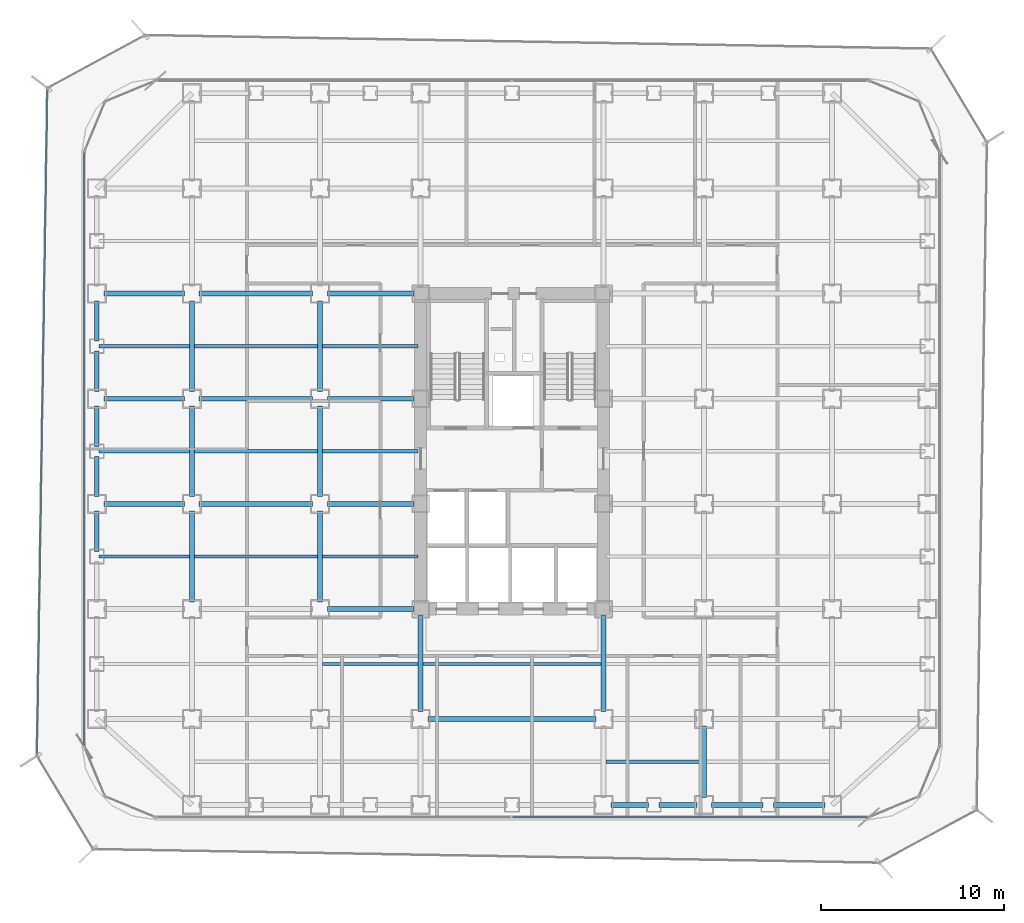
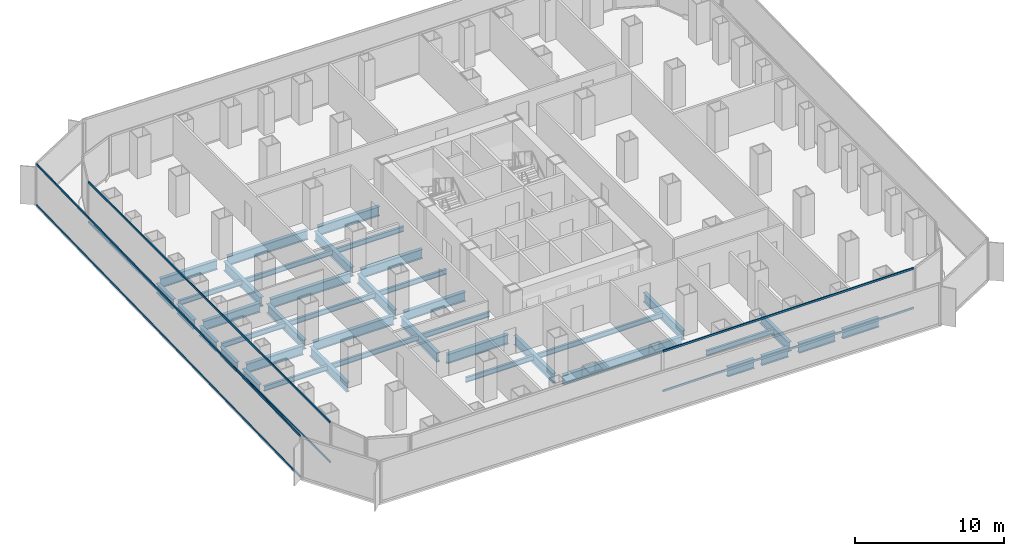
# One storey, part 5 of 22: 41 beams, 6 members, 3 elements without a shape of their own.
"""IFC4 building model written with IfcOpenShell, lengths in metres."""

from ifc_helpers import new_model, si_unit, direction, frame, origin, origin_2d, place, context, subcontext, project, spatial, hollow_rectangle, i_section, extrude, source, transform, mapped, material, layer, layer_set, material_profile, profile_set, type_object, element, aggregate, save


model = new_model("IFC4")

# Units and contexts
model_context = context("Model", 3, precision=1e-05, world=origin(), true_north=direction((0.0, 1.0)))
body_context = subcontext(model_context, "Body", "Model", "MODEL_VIEW")
ifc_project = project(units=[si_unit("LENGTHUNIT", "METRE"), si_unit("AREAUNIT", "SQUARE_METRE"), si_unit("VOLUMEUNIT", "CUBIC_METRE"), si_unit("PLANEANGLEUNIT", "RADIAN"), si_unit("MASSUNIT", "GRAM", prefix="KILO")], contexts=[model_context])

# Site, building, storey
site_placement = place(None, origin())
site = spatial("IfcSite", under=ifc_project, at=site_placement, CompositionType="ELEMENT")
building_placement = place(site_placement, origin())
building = spatial("IfcBuilding", under=site, at=building_placement, Name="Kolveth Station Tower", CompositionType="ELEMENT")
storey_placement = place(building_placement, frame((0.0, 0.0, 54.89990234375)))
storey = spatial("IfcBuildingStorey", under=building, at=storey_placement, Name="L14", CompositionType="ELEMENT", Elevation=54.89990234375)

# Beams
ifc_material_1 = material(Name="Steel S355", Category="steel")
ifc_material_profile_1 = material_profile(ifc_material_1, i_section(OverallWidth=0.26904296875, OverallDepth=0.77490234375, WebThickness=0.01708984375, FlangeThickness=0.0283203125, at=origin_2d()), Name="W760x220")
ifc_profile_set_1 = profile_set([ifc_material_profile_1], Name="Steel S355")
beam_type_1 = type_object("IfcBeamType", Name="Beam_SP1", PredefinedType="SPANDREL", material=ifc_profile_set_1)
shared_shape_1 = source(origin(), body_context, "Body", "SweptSolid", [
    extrude(i_section(OverallWidth=0.26904296875, OverallDepth=0.77490234375, WebThickness=0.01708984375, FlangeThickness=0.0283203125, at=origin_2d()), origin(), (0.0, 0.0, 1.0), 2.820068359375),
])
for number, where, z_axis, x_axis, name in (
    (1, (34.39990234375, 0.800048828125, -0.66748046875), (1.0, 0.0, 0.0), (0.0, 1.0, 0.0), "L14 Perimeter Spandrel BM-L14-PS-9"),
    (2, (37.780029296875, 0.800048828125, -0.66748046875), (1.0, 0.0, 0.0), (0.0, 1.0, 0.0), "L14 Perimeter Spandrel BM-L14-PS-10"),
):
    element("IfcBeam", number, at=place(storey_placement, frame(where, z_axis=z_axis, x_axis=x_axis)), inside=storey, type_object=beam_type_1, Name=name, PredefinedType="SPANDREL", context=body_context, shape_type="MappedRepresentation", body=[
        mapped(shared_shape_1, transform((0.0, 0.0, 0.0), x_axis=(1.0, 0.0, 0.0), y_axis=(0.0, 1.0, 0.0), z_axis=(0.0, 0.0, 1.0), scale=1.0)),
    ])
shared_shape_2 = source(origin(), body_context, "Body", "SweptSolid", [
    extrude(i_section(OverallWidth=0.26904296875, OverallDepth=0.77490234375, WebThickness=0.01708984375, FlangeThickness=0.0283203125, at=origin_2d()), origin(), (0.0, 0.0, 1.0), 2.070068359375),
])
for number, where, z_axis, x_axis, name in (
    (3, (28.89990234375, 0.800048828125, -0.66748046875), (1.0, 0.0, 0.0), (0.0, 1.0, 0.0), "L14 Perimeter Spandrel BM-L14-PS-7"),
    (4, (31.530029296875, 0.800048828125, -0.66748046875), (1.0, 0.0, 0.0), (0.0, 1.0, 0.0), "L14 Perimeter Spandrel BM-L14-PS-8"),
):
    element("IfcBeam", number, at=place(storey_placement, frame(where, z_axis=z_axis, x_axis=x_axis)), inside=storey, type_object=beam_type_1, Name=name, PredefinedType="SPANDREL", context=body_context, shape_type="MappedRepresentation", body=[
        mapped(shared_shape_2, transform((0.0, 0.0, 0.0), x_axis=(1.0, 0.0, 0.0), y_axis=(0.0, 1.0, 0.0), z_axis=(0.0, 0.0, 1.0), scale=1.0)),
    ])
shared_shape_3 = source(origin(), body_context, "Body", "SweptSolid", [
    extrude(i_section(OverallWidth=0.26904296875, OverallDepth=0.77490234375, WebThickness=0.01708984375, FlangeThickness=0.0283203125, at=origin_2d()), origin(), (0.0, 0.0, 1.0), 2.2001953125),
])
for number, where, z_axis, x_axis, name in (
    (5, (0.800048828125, 20.39990234375, -0.66748046875), (0.0, 1.0, 0.0), (-1.0, 0.0, 0.0), "L14 Perimeter Spandrel BM-L14-PW-6"),
    (6, (0.800048828125, 23.39990234375, -0.66748046875), (0.0, 1.0, 0.0), (-1.0, 0.0, 0.0), "L14 Perimeter Spandrel BM-L14-PW-7"),
):
    element("IfcBeam", number, at=place(storey_placement, frame(where, z_axis=z_axis, x_axis=x_axis)), inside=storey, type_object=beam_type_1, Name=name, PredefinedType="SPANDREL", context=body_context, shape_type="MappedRepresentation", body=[
        mapped(shared_shape_3, transform((0.0, 0.0, 0.0), x_axis=(1.0, 0.0, 0.0), y_axis=(0.0, 1.0, 0.0), z_axis=(0.0, 0.0, 1.0), scale=1.0)),
    ])
shared_shape_4 = source(origin(), body_context, "Body", "SweptSolid", [
    extrude(i_section(OverallWidth=0.26904296875, OverallDepth=0.77490234375, WebThickness=0.01708984375, FlangeThickness=0.0283203125, at=origin_2d()), origin(), (0.0, 0.0, 1.0), 2.190185546875),
])
for number, where, z_axis, x_axis, name in (
    (7, (0.800048828125, 14.659912109375, -0.66748046875), (0.0, 1.0, 0.0), (-1.0, 0.0, 0.0), "L14 Perimeter Spandrel BM-L14-PW-4"),
    (8, (0.800048828125, 17.64990234375, -0.66748046875), (0.0, 1.0, 0.0), (-1.0, 0.0, 0.0), "L14 Perimeter Spandrel BM-L14-PW-5"),
    (9, (0.800048828125, 26.159912109375, -0.66748046875), (0.0, 1.0, 0.0), (-1.0, 0.0, 0.0), "L14 Perimeter Spandrel BM-L14-PW-8"),
):
    element("IfcBeam", number, at=place(storey_placement, frame(where, z_axis=z_axis, x_axis=x_axis)), inside=storey, type_object=beam_type_1, Name=name, PredefinedType="SPANDREL", context=body_context, shape_type="MappedRepresentation", body=[
        mapped(shared_shape_4, transform((0.0, 0.0, 0.0), x_axis=(1.0, 0.0, 0.0), y_axis=(0.0, 1.0, 0.0), z_axis=(0.0, 0.0, 1.0), scale=1.0)),
    ])
ifc_material_profile_2 = material_profile(ifc_material_1, i_section(OverallWidth=0.26708984375, OverallDepth=0.76611328125, WebThickness=0.014892578125, FlangeThickness=0.023681640625, at=origin_2d()), Name="W760x185")
ifc_profile_set_2 = profile_set([ifc_material_profile_2], Name="Steel S355")
beam_type_2 = type_object("IfcBeamType", Name="Beam_B3", PredefinedType="BEAM", material=ifc_profile_set_2)
shared_shape_5 = source(origin(), body_context, "Body", "SweptSolid", [
    extrude(i_section(OverallWidth=0.26708984375, OverallDepth=0.76611328125, WebThickness=0.014892578125, FlangeThickness=0.023681640625, at=origin_2d()), origin(), (0.0, 0.0, 1.0), 4.400146484375),
])
for number, where, z_axis, x_axis, name in (
    (10, (1.199951171875, 17.25, -0.662841796875), (1.0, 0.0, 0.0), (0.0, 1.0, 0.0), "L14 Primary Girder BM-L14-GY172-1"),
    (11, (1.199951171875, 23.0, -0.662841796875), (1.0, 0.0, 0.0), (0.0, 1.0, 0.0), "L14 Primary Girder BM-L14-GY230-1"),
    (12, (1.199951171875, 28.75, -0.662841796875), (1.0, 0.0, 0.0), (0.0, 1.0, 0.0), "L14 Primary Girder BM-L14-GY287-1"),
):
    element("IfcBeam", number, at=place(storey_placement, frame(where, z_axis=z_axis, x_axis=x_axis)), inside=storey, type_object=beam_type_2, Name=name, PredefinedType="BEAM", context=body_context, shape_type="MappedRepresentation", body=[
        mapped(shared_shape_5, transform((0.0, 0.0, 0.0), x_axis=(1.0, 0.0, 0.0), y_axis=(0.0, 1.0, 0.0), z_axis=(0.0, 0.0, 1.0), scale=1.0)),
    ])
shared_shape_6 = source(origin(), body_context, "Body", "SweptSolid", [
    extrude(i_section(OverallWidth=0.26708984375, OverallDepth=0.76611328125, WebThickness=0.014892578125, FlangeThickness=0.023681640625, at=origin_2d()), origin(), (0.0, 0.0, 1.0), 6.2001953125),
])
for number, where, z_axis, x_axis, name in (
    (13, (6.39990234375, 17.25, -0.662841796875), (1.0, 0.0, 0.0), (0.0, 1.0, 0.0), "L14 Primary Girder BM-L14-GY172-2"),
    (14, (6.39990234375, 23.0, -0.662841796875), (1.0, 0.0, 0.0), (0.0, 1.0, 0.0), "L14 Primary Girder BM-L14-GY230-2"),
    (15, (6.39990234375, 28.75, -0.662841796875), (1.0, 0.0, 0.0), (0.0, 1.0, 0.0), "L14 Primary Girder BM-L14-GY287-2"),
):
    element("IfcBeam", number, at=place(storey_placement, frame(where, z_axis=z_axis, x_axis=x_axis)), inside=storey, type_object=beam_type_2, Name=name, PredefinedType="BEAM", context=body_context, shape_type="MappedRepresentation", body=[
        mapped(shared_shape_6, transform((0.0, 0.0, 0.0), x_axis=(1.0, 0.0, 0.0), y_axis=(0.0, 1.0, 0.0), z_axis=(0.0, 0.0, 1.0), scale=1.0)),
    ])
shared_shape_7 = source(origin(), body_context, "Body", "SweptSolid", [
    extrude(i_section(OverallWidth=0.26708984375, OverallDepth=0.76611328125, WebThickness=0.014892578125, FlangeThickness=0.023681640625, at=origin_2d()), origin(), (0.0, 0.0, 1.0), 9.2001953125),
])
beam_1_placement = place(storey_placement, frame((18.89990234375, 5.5, -0.662841796875), z_axis=(1.0, 0.0, 0.0), x_axis=(0.0, 1.0, 0.0)))
element("IfcBeam", 16, at=beam_1_placement, inside=storey, type_object=beam_type_2, Name="L14 Primary Girder BM-L14-GY55-4", PredefinedType="BEAM", context=body_context, shape_type="MappedRepresentation", body=[
    mapped(shared_shape_7, transform((0.0, 0.0, 0.0), x_axis=(1.0, 0.0, 0.0), y_axis=(0.0, 1.0, 0.0), z_axis=(0.0, 0.0, 1.0), scale=1.0)),
])
shared_shape_8 = source(origin(), body_context, "Body", "SweptSolid", [
    extrude(i_section(OverallWidth=0.26708984375, OverallDepth=0.76611328125, WebThickness=0.014892578125, FlangeThickness=0.023681640625, at=origin_2d()), origin(), (0.0, 0.0, 1.0), 4.739990234375),
])
for number, where, z_axis, x_axis, name in (
    (17, (13.39990234375, 11.5, -0.662841796875), (1.0, 0.0, 0.0), (0.0, 1.0, 0.0), "L14 Primary Girder BM-L14-GY115-3"),
    (18, (13.39990234375, 17.25, -0.662841796875), (1.0, 0.0, 0.0), (0.0, 1.0, 0.0), "L14 Primary Girder BM-L14-GY172-3"),
    (19, (13.39990234375, 23.0, -0.662841796875), (1.0, 0.0, 0.0), (0.0, 1.0, 0.0), "L14 Primary Girder BM-L14-GY230-3"),
    (20, (13.39990234375, 28.75, -0.662841796875), (1.0, 0.0, 0.0), (0.0, 1.0, 0.0), "L14 Primary Girder BM-L14-GY287-3"),
):
    element("IfcBeam", number, at=place(storey_placement, frame(where, z_axis=z_axis, x_axis=x_axis)), inside=storey, type_object=beam_type_2, Name=name, PredefinedType="BEAM", context=body_context, shape_type="MappedRepresentation", body=[
        mapped(shared_shape_8, transform((0.0, 0.0, 0.0), x_axis=(1.0, 0.0, 0.0), y_axis=(0.0, 1.0, 0.0), z_axis=(0.0, 0.0, 1.0), scale=1.0)),
    ])
shared_shape_9 = source(origin(), body_context, "Body", "SweptSolid", [
    extrude(i_section(OverallWidth=0.26708984375, OverallDepth=0.76611328125, WebThickness=0.014892578125, FlangeThickness=0.023681640625, at=origin_2d()), origin(), (0.0, 0.0, 1.0), 3.900146484375),
])
beam_2_placement = place(storey_placement, frame((34.0, 1.199951171875, -0.662841796875), z_axis=(0.0, 1.0, 0.0), x_axis=(-1.0, 0.0, 0.0)))
element("IfcBeam", 21, at=beam_2_placement, inside=storey, type_object=beam_type_2, Name="L14 Primary Girder BM-L14-GX340-1", PredefinedType="BEAM", context=body_context, shape_type="MappedRepresentation", body=[
    mapped(shared_shape_9, transform((0.0, 0.0, 0.0), x_axis=(1.0, 0.0, 0.0), y_axis=(0.0, 1.0, 0.0), z_axis=(0.0, 0.0, 1.0), scale=1.0)),
])
shared_shape_10 = source(origin(), body_context, "Body", "SweptSolid", [
    extrude(i_section(OverallWidth=0.26708984375, OverallDepth=0.76611328125, WebThickness=0.014892578125, FlangeThickness=0.023681640625, at=origin_2d()), origin(), (0.0, 0.0, 1.0), 4.9501953125),
])
for number, where, z_axis, x_axis, name in (
    (22, (6.0, 11.89990234375, -0.662841796875), (0.0, 1.0, 0.0), (-1.0, 0.0, 0.0), "L14 Primary Girder BM-L14-GX60-3"),
    (23, (6.0, 17.64990234375, -0.662841796875), (0.0, 1.0, 0.0), (-1.0, 0.0, 0.0), "L14 Primary Girder BM-L14-GX60-4"),
    (24, (6.0, 23.39990234375, -0.662841796875), (0.0, 1.0, 0.0), (-1.0, 0.0, 0.0), "L14 Primary Girder BM-L14-GX60-5"),
    (25, (13.0, 11.89990234375, -0.662841796875), (0.0, 1.0, 0.0), (-1.0, 0.0, 0.0), "L14 Primary Girder BM-L14-GX130-3"),
    (26, (13.0, 17.64990234375, -0.662841796875), (0.0, 1.0, 0.0), (-1.0, 0.0, 0.0), "L14 Primary Girder BM-L14-GX130-4"),
    (27, (13.0, 23.39990234375, -0.662841796875), (0.0, 1.0, 0.0), (-1.0, 0.0, 0.0), "L14 Primary Girder BM-L14-GX130-5"),
):
    element("IfcBeam", number, at=place(storey_placement, frame(where, z_axis=z_axis, x_axis=x_axis)), inside=storey, type_object=beam_type_2, Name=name, PredefinedType="BEAM", context=body_context, shape_type="MappedRepresentation", body=[
        mapped(shared_shape_10, transform((0.0, 0.0, 0.0), x_axis=(1.0, 0.0, 0.0), y_axis=(0.0, 1.0, 0.0), z_axis=(0.0, 0.0, 1.0), scale=1.0)),
    ])
shared_shape_11 = source(origin(), body_context, "Body", "SweptSolid", [
    extrude(i_section(OverallWidth=0.26708984375, OverallDepth=0.76611328125, WebThickness=0.014892578125, FlangeThickness=0.023681640625, at=origin_2d()), origin(), (0.0, 0.0, 1.0), 5.239990234375),
])
for number, where, z_axis, x_axis, name in (
    (28, (18.5, 5.89990234375, -0.662841796875), (0.0, 1.0, 0.0), (-1.0, 0.0, 0.0), "L14 Primary Girder BM-L14-GX185-2"),
    (29, (28.5, 5.89990234375, -0.662841796875), (0.0, 1.0, 0.0), (-1.0, 0.0, 0.0), "L14 Primary Girder BM-L14-GX285-2"),
):
    element("IfcBeam", number, at=place(storey_placement, frame(where, z_axis=z_axis, x_axis=x_axis)), inside=storey, type_object=beam_type_2, Name=name, PredefinedType="BEAM", context=body_context, shape_type="MappedRepresentation", body=[
        mapped(shared_shape_11, transform((0.0, 0.0, 0.0), x_axis=(1.0, 0.0, 0.0), y_axis=(0.0, 1.0, 0.0), z_axis=(0.0, 0.0, 1.0), scale=1.0)),
    ])
ifc_material_profile_3 = material_profile(ifc_material_1, i_section(OverallWidth=0.177978515625, OverallDepth=0.406982421875, WebThickness=0.0078125, FlangeThickness=0.0126953125, at=origin_2d()), Name="W410x60")
ifc_profile_set_3 = profile_set([ifc_material_profile_3], Name="Steel S355")
beam_type_3 = type_object("IfcBeamType", Name="Beam_J1", PredefinedType="JOIST", material=ifc_profile_set_3)
shared_shape_12 = source(origin(), body_context, "Body", "SweptSolid", [
    extrude(i_section(OverallWidth=0.177978515625, OverallDepth=0.406982421875, WebThickness=0.0078125, FlangeThickness=0.0126953125, at=origin_2d()), origin(), (0.0, 0.0, 1.0), 4.935791015625),
])
for number, where, z_axis, x_axis, name in (
    (30, (0.9326171875, 14.375, -0.4833984375), (1.0, 0.0, 0.0), (0.0, 1.0, 0.0), "L14 Secondary Joist JST-L14-1-3"),
    (31, (0.9326171875, 20.125, -0.4833984375), (1.0, 0.0, 0.0), (0.0, 1.0, 0.0), "L14 Secondary Joist JST-L14-1-4"),
    (32, (0.9326171875, 25.875, -0.4833984375), (1.0, 0.0, 0.0), (0.0, 1.0, 0.0), "L14 Secondary Joist JST-L14-1-5"),
):
    element("IfcBeam", number, at=place(storey_placement, frame(where, z_axis=z_axis, x_axis=x_axis)), inside=storey, type_object=beam_type_3, Name=name, PredefinedType="JOIST", context=body_context, shape_type="MappedRepresentation", body=[
        mapped(shared_shape_12, transform((0.0, 0.0, 0.0), x_axis=(1.0, 0.0, 0.0), y_axis=(0.0, 1.0, 0.0), z_axis=(0.0, 0.0, 1.0), scale=1.0)),
    ])
shared_shape_13 = source(origin(), body_context, "Body", "SweptSolid", [
    extrude(i_section(OverallWidth=0.177978515625, OverallDepth=0.406982421875, WebThickness=0.0078125, FlangeThickness=0.0126953125, at=origin_2d()), origin(), (0.0, 0.0, 1.0), 6.73681640625),
])
for number, where, z_axis, x_axis, name in (
    (33, (6.131591796875, 14.375, -0.4833984375), (1.0, 0.0, 0.0), (0.0, 1.0, 0.0), "L14 Secondary Joist JST-L14-2-3"),
    (34, (6.131591796875, 20.125, -0.4833984375), (1.0, 0.0, 0.0), (0.0, 1.0, 0.0), "L14 Secondary Joist JST-L14-2-4"),
    (35, (6.131591796875, 25.875, -0.4833984375), (1.0, 0.0, 0.0), (0.0, 1.0, 0.0), "L14 Secondary Joist JST-L14-2-5"),
):
    element("IfcBeam", number, at=place(storey_placement, frame(where, z_axis=z_axis, x_axis=x_axis)), inside=storey, type_object=beam_type_3, Name=name, PredefinedType="JOIST", context=body_context, shape_type="MappedRepresentation", body=[
        mapped(shared_shape_13, transform((0.0, 0.0, 0.0), x_axis=(1.0, 0.0, 0.0), y_axis=(0.0, 1.0, 0.0), z_axis=(0.0, 0.0, 1.0), scale=1.0)),
    ])
shared_shape_14 = source(origin(), body_context, "Body", "SweptSolid", [
    extrude(i_section(OverallWidth=0.177978515625, OverallDepth=0.406982421875, WebThickness=0.0078125, FlangeThickness=0.0126953125, at=origin_2d()), origin(), (0.0, 0.0, 1.0), 5.23681640625),
])
for number, where, z_axis, x_axis, name in (
    (36, (13.131591796875, 8.5, -0.4833984375), (1.0, 0.0, 0.0), (0.0, 1.0, 0.0), "L14 Secondary Joist JST-L14-3-2"),
    (37, (13.131591796875, 14.375, -0.4833984375), (1.0, 0.0, 0.0), (0.0, 1.0, 0.0), "L14 Secondary Joist JST-L14-3-3"),
    (38, (13.131591796875, 20.125, -0.4833984375), (1.0, 0.0, 0.0), (0.0, 1.0, 0.0), "L14 Secondary Joist JST-L14-3-4"),
    (39, (13.131591796875, 25.875, -0.4833984375), (1.0, 0.0, 0.0), (0.0, 1.0, 0.0), "L14 Secondary Joist JST-L14-3-5"),
    (40, (28.631591796875, 3.14990234375, -0.4833984375), (1.0, 0.0, 0.0), (0.0, 1.0, 0.0), "L14 Secondary Joist JST-L14-5-1"),
):
    element("IfcBeam", number, at=place(storey_placement, frame(where, z_axis=z_axis, x_axis=x_axis)), inside=storey, type_object=beam_type_3, Name=name, PredefinedType="JOIST", context=body_context, shape_type="MappedRepresentation", body=[
        mapped(shared_shape_14, transform((0.0, 0.0, 0.0), x_axis=(1.0, 0.0, 0.0), y_axis=(0.0, 1.0, 0.0), z_axis=(0.0, 0.0, 1.0), scale=1.0)),
    ])
shared_shape_15 = source(origin(), body_context, "Body", "SweptSolid", [
    extrude(i_section(OverallWidth=0.177978515625, OverallDepth=0.406982421875, WebThickness=0.0078125, FlangeThickness=0.0126953125, at=origin_2d()), origin(), (0.0, 0.0, 1.0), 9.73681640625),
])
beam_3_placement = place(storey_placement, frame((18.631591796875, 8.5, -0.4833984375), z_axis=(1.0, 0.0, 0.0), x_axis=(0.0, 1.0, 0.0)))
element("IfcBeam", 41, at=beam_3_placement, inside=storey, type_object=beam_type_3, Name="L14 Secondary Joist JST-L14-4-2", PredefinedType="JOIST", context=body_context, shape_type="MappedRepresentation", body=[
    mapped(shared_shape_15, transform((0.0, 0.0, 0.0), x_axis=(1.0, 0.0, 0.0), y_axis=(0.0, 1.0, 0.0), z_axis=(0.0, 0.0, 1.0), scale=1.0)),
])

# Curtain wall, members
ifc_material_2 = material(Name="Aluminium 6063-T6 and low-E dark glass", Category="aluminium")
ifc_layer_1 = layer(ifc_material_2, 0.179931640625)
ifc_layer_set_1 = layer_set([ifc_layer_1], Name="Aluminium 6063-T6 and low-E dark glass")
curtain_wall_type_1 = type_object("IfcCurtainWallType", Name="CurtainWall_CW-Z1", PredefinedType="NOTDEFINED", material=ifc_layer_set_1)
curtain_wall_1_placement = place(storey_placement, origin())
curtain_wall_1 = element("IfcCurtainWall", 42, at=curtain_wall_1_placement, inside=storey, type_object=curtain_wall_type_1, Name="L14 Inner Thermal Curtain Wall 9", PredefinedType="NOTDEFINED")
ifc_material_3 = material(Name="Black anodized aluminium 6063-T6", Category="aluminium")
ifc_material_profile_4 = material_profile(ifc_material_3, hollow_rectangle(XDim=0.074951171875, YDim=0.159912109375, WallThickness=0.0048828125, at=origin_2d()), Name="ALU-75x160x5")
ifc_profile_set_4 = profile_set([ifc_material_profile_4], Name="Black anodized aluminium 6063-T6")
member_type_1 = type_object("IfcMemberType", Name="Transom_TR1", PredefinedType="USERDEFINED", material=ifc_profile_set_4)
shared_shape_16 = source(origin(), body_context, "Body", "SweptSolid", [
    extrude(hollow_rectangle(XDim=0.074951171875, YDim=0.159912109375, WallThickness=0.0048828125, at=origin_2d()), origin(), (0.0, 0.0, 1.0), 32.35009765625),
])
member_1_placement = place(storey_placement, frame((0.1201171875, 36.425048828125, 0.03759765625), z_axis=(0.0, -1.0, 0.0), x_axis=(1.0, 0.0, 0.0)))
member_1 = element("IfcMember", 43, at=member_1_placement, type_object=member_type_1, Name="CW-Z1 transom 1.1", ObjectType="TRANSOM", PredefinedType="USERDEFINED", context=body_context, shape_type="MappedRepresentation", body=[
    mapped(shared_shape_16, transform((0.0, 0.0, 0.0), x_axis=(1.0, 0.0, 0.0), y_axis=(0.0, 1.0, 0.0), z_axis=(0.0, 0.0, 1.0), scale=1.0)),
])
member_2_placement = place(storey_placement, frame((0.1201171875, 36.425048828125, 3.28271484375), z_axis=(0.0, -1.0, 0.0), x_axis=(1.0, 0.0, 0.0)))
member_2 = element("IfcMember", 44, at=member_2_placement, type_object=member_type_1, Name="CW-Z1 transom 1.2", ObjectType="TRANSOM", PredefinedType="USERDEFINED", context=body_context, shape_type="MappedRepresentation", body=[
    mapped(shared_shape_16, transform((0.0, 0.0, 0.0), x_axis=(1.0, 0.0, 0.0), y_axis=(0.0, 1.0, 0.0), z_axis=(0.0, 0.0, 1.0), scale=1.0)),
])
aggregate(curtain_wall_1, [member_1, member_2])

curtain_wall_2_placement = place(storey_placement, origin())
curtain_wall_2 = element("IfcCurtainWall", 45, at=curtain_wall_2_placement, inside=storey, type_object=curtain_wall_type_1, Name="L14 Inner Thermal Curtain Wall 12", PredefinedType="NOTDEFINED")
shared_shape_17 = source(origin(), body_context, "Body", "SweptSolid", [
    extrude(hollow_rectangle(XDim=0.074951171875, YDim=0.159912109375, WallThickness=0.0048828125, at=origin_2d()), origin(), (0.0, 0.0, 1.0), 19.387451171875),
])
member_3_placement = place(storey_placement, frame((23.53759765625, 0.1201171875, 0.03759765625), z_axis=(1.0, 0.0, 0.0), x_axis=(0.0, 1.0, 0.0)))
member_3 = element("IfcMember", 46, at=member_3_placement, type_object=member_type_1, Name="CW-Z1 transom 2.1", ObjectType="TRANSOM", PredefinedType="USERDEFINED", context=body_context, shape_type="MappedRepresentation", body=[
    mapped(shared_shape_17, transform((0.0, 0.0, 0.0), x_axis=(1.0, 0.0, 0.0), y_axis=(0.0, 1.0, 0.0), z_axis=(0.0, 0.0, 1.0), scale=1.0)),
])
member_4_placement = place(storey_placement, frame((23.53759765625, 0.1201171875, 3.28271484375), z_axis=(1.0, 0.0, 0.0), x_axis=(0.0, 1.0, 0.0)))
member_4 = element("IfcMember", 47, at=member_4_placement, type_object=member_type_1, Name="CW-Z1 transom 2.2", ObjectType="TRANSOM", PredefinedType="USERDEFINED", context=body_context, shape_type="MappedRepresentation", body=[
    mapped(shared_shape_17, transform((0.0, 0.0, 0.0), x_axis=(1.0, 0.0, 0.0), y_axis=(0.0, 1.0, 0.0), z_axis=(0.0, 0.0, 1.0), scale=1.0)),
])
aggregate(curtain_wall_2, [member_3, member_4])

ifc_material_4 = material(Name="Black anodized aluminium 6063-T6 and dark solar glass", Category="aluminium")
ifc_layer_2 = layer(ifc_material_4, 0.159912109375)
ifc_layer_set_2 = layer_set([ifc_layer_2], Name="Black anodized aluminium 6063-T6 and dark solar glass")
curtain_wall_type_2 = type_object("IfcCurtainWallType", Name="OUTER SKIN CW-OS", PredefinedType="NOTDEFINED", material=ifc_layer_set_2)
curtain_wall_3_placement = place(storey_placement, origin())
curtain_wall_3 = element("IfcCurtainWall", 48, at=curtain_wall_3_placement, inside=storey, type_object=curtain_wall_type_2, Name="L14 Outer Ventilated Skin Curtain Wall 6", PredefinedType="NOTDEFINED")
ifc_material_profile_5 = material_profile(ifc_material_3, hollow_rectangle(XDim=0.080078125, YDim=0.14990234375, WallThickness=0.0048828125, at=origin_2d()), Name="ALU-80x150x5")
ifc_profile_set_5 = profile_set([ifc_material_profile_5], Name="Black anodized aluminium 6063-T6")
member_type_2 = type_object("IfcMemberType", Name="Transom_TR-OS", PredefinedType="USERDEFINED", material=ifc_profile_set_5)
shared_shape_18 = source(origin(), body_context, "Body", "SweptSolid", [
    extrude(hollow_rectangle(XDim=0.080078125, YDim=0.14990234375, WallThickness=0.0048828125, at=origin_2d()), origin(), (0.0, 0.0, 1.0), 36.3203125),
])
member_5_placement = place(storey_placement, frame((-1.900146484375, 39.886474609375, 0.0400390625), z_axis=(-0.015641783626, -0.999877659819, 0.0), x_axis=(0.999877659819, -0.015641783626, 0.0)))
member_5 = element("IfcMember", 49, at=member_5_placement, type_object=member_type_2, Name="CW-OS transom 1.1", ObjectType="TRANSOM", PredefinedType="USERDEFINED", context=body_context, shape_type="MappedRepresentation", body=[
    mapped(shared_shape_18, transform((0.0, 0.0, 0.0), x_axis=(1.0, 0.0, 0.0), y_axis=(0.0, 1.0, 0.0), z_axis=(0.0, 0.0, 1.0), scale=1.0)),
])
member_6_placement = place(storey_placement, frame((-1.900146484375, 39.886474609375, 3.35009765625), z_axis=(-0.015641783626, -0.999877659819, 0.0), x_axis=(0.999877659819, -0.015641783626, 0.0)))
member_6 = element("IfcMember", 50, at=member_6_placement, type_object=member_type_2, Name="CW-OS transom 1.2", ObjectType="TRANSOM", PredefinedType="USERDEFINED", context=body_context, shape_type="MappedRepresentation", body=[
    mapped(shared_shape_18, transform((0.0, 0.0, 0.0), x_axis=(1.0, 0.0, 0.0), y_axis=(0.0, 1.0, 0.0), z_axis=(0.0, 0.0, 1.0), scale=1.0)),
])
aggregate(curtain_wall_3, [member_5, member_6])

save(model, "model.ifc")
